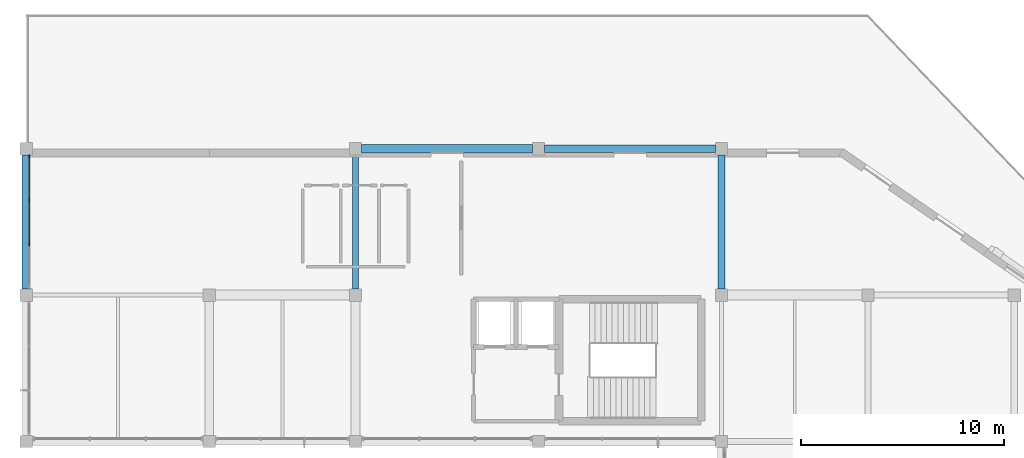
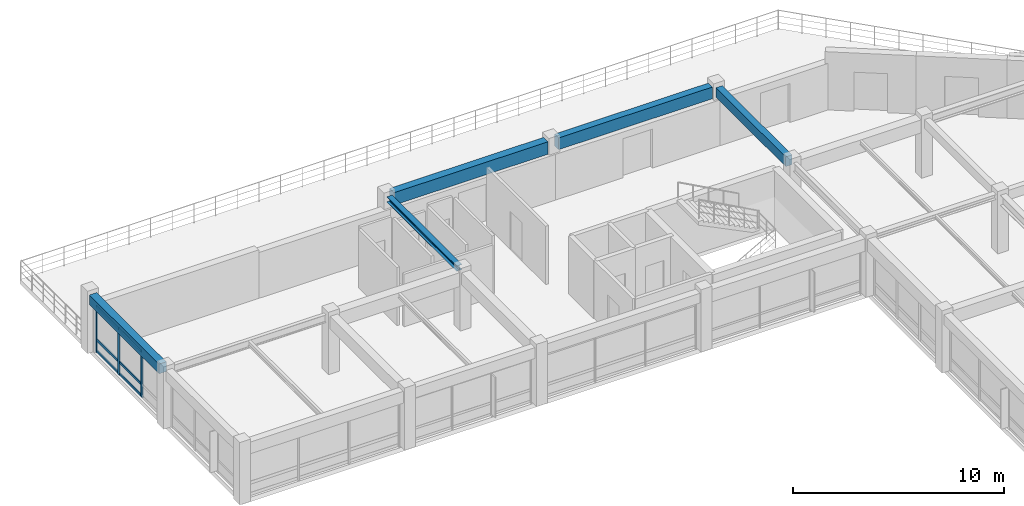
# One storey, part 6 of 12: 9 members, 5 beams, 1 element without a shape of its own.
"""IFC4 building model written with IfcOpenShell, lengths in metres."""

import ifcopenshell
import ifcopenshell.guid

model = None  # the IFC model being written
_history = None  # IfcOwnerHistory: only IFC2X3 demands one
_inside = {}  # id of a spatial element -> (the spatial element, [elements in it])
_under = {}  # id of a project, library or spatial element -> (it, [spatial elements below it])
_declared = {}  # id of a project -> (the project, [libraries it declares])
_typed = {}  # id of a type object -> (the type object, [elements of that type])
_made_of = {}  # id of a material, layer set ... -> (it, [elements and type objects made of it])


def new_model(schema):
    """Start an empty IFC model of exactly this schema.

    Asked for "IFC4X3", IfcOpenShell would pick the latest addendum, in which some entities
    have other attributes; the version numbers below select the first issue.
    IFC2X3 requires an IfcOwnerHistory on every rooted entity: one is made here for all.
    """
    global model, _history
    if schema == "IFC4X3":
        model = ifcopenshell.file(schema_version=(4, 3, 0, 0))
    else:
        model = ifcopenshell.file(schema=schema)
    _inside.clear()
    _under.clear()
    _declared.clear()
    _typed.clear()
    _made_of.clear()
    _history = None
    if model.schema == "IFC2X3":
        org = make("IfcOrganization", Name="unknown")
        user = make(
            "IfcPersonAndOrganization",
            ThePerson=make("IfcPerson", FamilyName="unknown"),
            TheOrganization=org,
        )
        app = make(
            "IfcApplication",
            ApplicationDeveloper=org,
            Version="unknown",
            ApplicationFullName="unknown",
            ApplicationIdentifier="unknown",
        )
        _history = make(
            "IfcOwnerHistory",
            OwningUser=user,
            OwningApplication=app,
            ChangeAction="ADDED",
            CreationDate=0,
        )
    return model


def make(cls, **values):
    """One entity of the class cls with the attributes given. An attribute that is None is left unset."""
    return model.create_entity(
        cls, **{name: value for name, value in values.items() if value is not None}
    )


def rooted(cls, **values):
    """An entity with a GlobalId (a new one), such as an element, a storey or a relation."""
    return make(cls, GlobalId=ifcopenshell.guid.new(), OwnerHistory=_history, **values)


def si_unit(unit_type, name, prefix=None):
    """IfcSIUnit, for example si_unit("LENGTHUNIT", "METRE", prefix="MILLI")."""
    return make("IfcSIUnit", UnitType=unit_type, Prefix=prefix, Name=name)


def assignment(units):
    """IfcUnitAssignment: the units of a project."""
    return None if units is None else make("IfcUnitAssignment", Units=units)


def point(xyz):
    """IfcCartesianPoint."""
    return None if xyz is None else make("IfcCartesianPoint", Coordinates=xyz)


def direction(xyz):
    """IfcDirection."""
    return None if xyz is None else make("IfcDirection", DirectionRatios=xyz)


def frame(location, z_axis=None, x_axis=None):
    """IfcAxis2Placement3D, a coordinate frame: its origin and axes. An axis left out is left unset."""
    return make(
        "IfcAxis2Placement3D",
        Location=point(location),
        Axis=direction(z_axis),
        RefDirection=direction(x_axis),
    )


def frame_2d(location, x_axis=None):
    """IfcAxis2Placement2D, a coordinate frame in the plane: its origin and x axis."""
    return make(
        "IfcAxis2Placement2D", Location=point(location), RefDirection=direction(x_axis)
    )


def origin():
    """The frame at (0, 0, 0) with its axes left unset."""
    return frame((0.0, 0.0, 0.0))


def origin_2d():
    """The frame at (0, 0) in the plane with its x axis left unset."""
    return frame_2d((0.0, 0.0))


def place(relative_to, where):
    """IfcLocalPlacement: puts the frame where relative to a parent placement (None: the world)."""
    return make(
        "IfcLocalPlacement", PlacementRelTo=relative_to, RelativePlacement=where
    )


def context(
    kind, dimensions, precision=None, world=None, true_north=None, identifier=None
):
    """IfcGeometricRepresentationContext, for example the 3D "Model" context."""
    return make(
        "IfcGeometricRepresentationContext",
        ContextIdentifier=identifier,
        ContextType=kind,
        CoordinateSpaceDimension=dimensions,
        Precision=precision,
        WorldCoordinateSystem=world,
        TrueNorth=true_north,
    )


def subcontext(parent, identifier, kind, view, scale=None):
    """IfcGeometricRepresentationSubContext, for example "Body" below "Model"."""
    return make(
        "IfcGeometricRepresentationSubContext",
        ContextIdentifier=identifier,
        ContextType=kind,
        ParentContext=parent,
        TargetScale=scale,
        TargetView=view,
    )


def project(units=None, contexts=None):
    """IfcProject with its units and contexts."""
    return rooted(
        "IfcProject",
        Name="project",
        RepresentationContexts=contexts,
        UnitsInContext=assignment(units),
    )


def spatial(cls, under=None, at=None, **own):
    """A site, building, storey or space (cls), placed at a placement, below another one or the project."""
    s = rooted(cls, ObjectPlacement=at, **own)
    if under is not None:
        _under.setdefault(under.id(), (under, []))[1].append(s)
    return s


def profile(cls, at=None, kind="AREA", **sizes):
    """A parametric profile (cls). Its sizes go by their IFC names, for example OverallWidth=200.0."""
    return make(cls, ProfileType=kind, Position=at, **sizes)


def rectangle(**sizes):
    """IfcRectangleProfileDef."""
    return profile("IfcRectangleProfileDef", **sizes)


def i_section(**sizes):
    """IfcIShapeProfileDef."""
    return profile("IfcIShapeProfileDef", **sizes)


def extrude(swept, where, along, depth):
    """IfcExtrudedAreaSolid: the profile swept, set in the frame where, extruded along a direction by depth."""
    return make(
        "IfcExtrudedAreaSolid",
        SweptArea=swept,
        Position=where,
        ExtrudedDirection=direction(along),
        Depth=depth,
    )


def shape(context_of_items, identifier, shape_type, items):
    """IfcShapeRepresentation: the items that make up one representation, for example the "Body"."""
    return make(
        "IfcShapeRepresentation",
        ContextOfItems=context_of_items,
        RepresentationIdentifier=identifier,
        RepresentationType=shape_type,
        Items=items,
    )


def material(Name=None, Category=None):
    """IfcMaterial."""
    return make("IfcMaterial", Name=Name, Category=Category)


def material_profile(
    of_material, cross_section, Name=None, Category=None, Priority=None
):
    """IfcMaterialProfile: a cross section and its material."""
    return make(
        "IfcMaterialProfile",
        Name=Name,
        Material=of_material,
        Profile=cross_section,
        Priority=Priority,
        Category=Category,
    )


def profile_set(profiles, Name=None, composite=None):
    """IfcMaterialProfileSet."""
    return make(
        "IfcMaterialProfileSet",
        Name=Name,
        MaterialProfiles=profiles,
        CompositeProfile=composite,
    )


def made_of(thing, what):
    """Note that an element or type object is made of a material, layer set ...; save() writes the relation."""
    if what is not None:
        _made_of.setdefault(what.id(), (what, []))[1].append(thing)
    return thing


def type_object(cls, material=None, **own):
    """A type object (cls), such as IfcWallType, which elements share."""
    return made_of(rooted(cls, **own), material)


def element(
    cls,
    number,
    at=None,
    inside=None,
    cuts=None,
    type_object=None,
    material=None,
    context=None,
    identifier="Body",
    shape_type=None,
    held_by="IfcProductDefinitionShape",
    body=None,
    shapes=None,
    **own,
):
    """One element of the class cls, such as IfcWall. Its Tag is "e" and its number.

    at: its placement. inside: the storey or other place that contains it. cuts: it is an
    opening in that element (IfcRelVoidsElement). A single representation is given by context,
    identifier, shape_type and body (its items); several are given by shapes. held_by: the class
    of the entity that holds the representations. save() writes the other relations.
    """
    e = rooted(cls, Tag="e%d" % number, ObjectPlacement=at, **own)
    if body is not None:
        shapes = [shape(context, identifier, shape_type, body)]
    if shapes is not None:
        e.Representation = make(held_by, Representations=shapes)
    if inside is not None:
        _inside.setdefault(inside.id(), (inside, []))[1].append(e)
    if cuts is not None:
        rooted(
            "IfcRelVoidsElement", RelatingBuildingElement=cuts, RelatedOpeningElement=e
        )
    if type_object is not None:
        _typed.setdefault(type_object.id(), (type_object, []))[1].append(e)
    return made_of(e, material)


def aggregate(whole, parts):
    """IfcRelAggregates: a whole, such as a stair, and the parts it consists of."""
    return rooted("IfcRelAggregates", RelatingObject=whole, RelatedObjects=parts)


def save(model, path):
    """Write the relations noted so far, then the file.

    IfcRelAggregates (storeys below a building ...), IfcRelContainedInSpatialStructure (elements
    in a storey), IfcRelDefinesByType, IfcRelAssociatesMaterial and IfcRelDeclares: one each for
    every whole, place, type object, material and project.
    """
    for whole, parts in _under.values():
        aggregate(whole, parts)
    for where, things in _inside.values():
        rooted(
            "IfcRelContainedInSpatialStructure",
            RelatedElements=things,
            RelatingStructure=where,
        )
    for kind, things in _typed.values():
        rooted("IfcRelDefinesByType", RelatedObjects=things, RelatingType=kind)
    for what, things in _made_of.values():
        rooted("IfcRelAssociatesMaterial", RelatedObjects=things, RelatingMaterial=what)
    for by, libraries in _declared.values():
        rooted("IfcRelDeclares", RelatingContext=by, RelatedDefinitions=libraries)
    model.write(path)


model = new_model("IFC4")

# Units and contexts
model_context = context("Model", 3, precision=1e-05, world=origin(), true_north=direction((0.0, 1.0)))
body_context = subcontext(model_context, "Body", "Model", "MODEL_VIEW")
ifc_project = project(units=[si_unit("LENGTHUNIT", "METRE"), si_unit("AREAUNIT", "SQUARE_METRE"), si_unit("VOLUMEUNIT", "CUBIC_METRE"), si_unit("PLANEANGLEUNIT", "RADIAN"), si_unit("MASSUNIT", "GRAM", prefix="KILO")], contexts=[model_context])

# Site, building, storey
site_placement = place(None, origin())
site = spatial("IfcSite", under=ifc_project, at=site_placement, CompositionType="ELEMENT")
building_placement = place(site_placement, origin())
building = spatial("IfcBuilding", under=site, at=building_placement, Name="Clarverna Civic Hall", CompositionType="ELEMENT")
storey_placement = place(building_placement, frame((0.0, 0.0, 24.0)))
storey = spatial("IfcBuildingStorey", under=building, at=storey_placement, Name="L06", CompositionType="ELEMENT", Elevation=24.0)

# Beams
ifc_material_1 = material(Name="Concrete C35/45", Category="concrete")
ifc_material_profile_1 = material_profile(ifc_material_1, rectangle(XDim=0.35009765625, YDim=0.550048828125, at=origin_2d()), Name="RC 350x550")
ifc_profile_set_1 = profile_set([ifc_material_profile_1], Name="Concrete C35/45")
beam_type_1 = type_object("IfcBeamType", Name="B-RC9", PredefinedType="BEAM", material=ifc_profile_set_1)
beam_1_placement = place(storey_placement, frame((147.60009765625, 102.5, 3.06494140625), z_axis=(0.0, 1.0, 0.0), x_axis=(-1.0, 0.0, 0.0)))
element("IfcBeam", 1, at=beam_1_placement, inside=storey, type_object=beam_type_1, Name="B-RC9-047", PredefinedType="BEAM", context=body_context, shape_type="SweptSolid", body=[
    extrude(rectangle(XDim=0.35009765625, YDim=0.550048828125, at=origin_2d()), origin(), (0.0, 0.0, 1.0), 6.60009765625),
])
ifc_material_profile_2 = material_profile(ifc_material_1, rectangle(XDim=0.419921875, YDim=0.719970703125, at=origin_2d()), Name="RC 420x720")
ifc_profile_set_2 = profile_set([ifc_material_profile_2], Name="Concrete C35/45")
beam_type_2 = type_object("IfcBeamType", Name="B-SP1", PredefinedType="SPANDREL", material=ifc_profile_set_2)
beam_2_placement = place(storey_placement, frame((129.89990234375, 109.39990234375, 3.0), z_axis=(1.0, 0.0, 0.0), x_axis=(0.0, 1.0, 0.0)))
element("IfcBeam", 2, at=beam_2_placement, inside=storey, type_object=beam_type_2, Name="B-SP1-152", PredefinedType="SPANDREL", context=body_context, shape_type="SweptSolid", body=[
    extrude(rectangle(XDim=0.419921875, YDim=0.719970703125, at=origin_2d()), origin(), (0.0, 0.0, 1.0), 8.400146484375),
])
ifc_material_profile_3 = material_profile(ifc_material_1, rectangle(XDim=0.3798828125, YDim=0.679931640625, at=origin_2d()), Name="RC 380x680")
ifc_profile_set_3 = profile_set([ifc_material_profile_3], Name="Concrete C35/45")
beam_type_3 = type_object("IfcBeamType", Name="B-SP2", PredefinedType="SPANDREL", material=ifc_profile_set_3)
beam_3_placement = place(storey_placement, frame((138.89990234375, 109.39990234375, 3.02001953125), z_axis=(1.0, 0.0, 0.0), x_axis=(0.0, 1.0, 0.0)))
element("IfcBeam", 3, at=beam_3_placement, inside=storey, type_object=beam_type_3, Name="B-SP2-159", PredefinedType="SPANDREL", context=body_context, shape_type="SweptSolid", body=[
    extrude(rectangle(XDim=0.3798828125, YDim=0.679931640625, at=origin_2d()), origin(), (0.0, 0.0, 1.0), 8.400146484375),
])
ifc_material_profile_4 = material_profile(ifc_material_1, rectangle(XDim=0.39990234375, YDim=0.56005859375, at=origin_2d()), Name="RC 400x560")
ifc_profile_set_4 = profile_set([ifc_material_profile_4], Name="Concrete C35/45")
beam_type_4 = type_object("IfcBeamType", Name="B-SP4", PredefinedType="SPANDREL", material=ifc_profile_set_4)
beam_4_placement = place(storey_placement, frame((113.39990234375, 102.5, 3.080078125), z_axis=(0.0, 1.0, 0.0), x_axis=(-1.0, 0.0, 0.0)))
element("IfcBeam", 4, at=beam_4_placement, inside=storey, type_object=beam_type_4, Name="B-SP4-156", PredefinedType="SPANDREL", context=body_context, shape_type="SweptSolid", body=[
    extrude(rectangle(XDim=0.39990234375, YDim=0.56005859375, at=origin_2d()), origin(), (0.0, 0.0, 1.0), 6.60009765625),
])
ifc_material_2 = material(Name="Steel S355", Category="steel")
ifc_material_profile_5 = material_profile(ifc_material_2, i_section(OverallWidth=0.300048828125, OverallDepth=0.31005859375, WebThickness=0.009033203125, FlangeThickness=0.015380859375, FilletRadius=0.027099609375, at=origin_2d()), Name="HEA 320")
ifc_profile_set_5 = profile_set([ifc_material_profile_5], Name="Steel S355")
beam_type_5 = type_object("IfcBeamType", Name="B-ST9", PredefinedType="BEAM", material=ifc_profile_set_5)
beam_5_placement = place(storey_placement, frame((129.60009765625, 102.5, 3.18505859375), z_axis=(0.0, 1.0, 0.0), x_axis=(-1.0, 0.0, 0.0)))
element("IfcBeam", 5, at=beam_5_placement, inside=storey, type_object=beam_type_5, Name="B-ST9-093", PredefinedType="BEAM", context=body_context, shape_type="SweptSolid", body=[
    extrude(i_section(OverallWidth=0.300048828125, OverallDepth=0.31005859375, WebThickness=0.009033203125, FlangeThickness=0.015380859375, FilletRadius=0.027099609375, at=origin_2d()), origin(), (0.0, 0.0, 1.0), 6.60009765625),
])

# Curtain wall, members
ifc_material_3 = material(Name="Anodised Bronze Architectural Aluminium", Category="aluminium")
curtain_wall_type = type_object("IfcCurtainWallType", Name="CW-01", PredefinedType="USERDEFINED", material=ifc_material_3)
curtain_wall_placement = place(storey_placement, origin())
curtain_wall = element("IfcCurtainWall", 6, at=curtain_wall_placement, inside=storey, type_object=curtain_wall_type, Name="CW-01-115", ObjectType="UNITISED CURTAIN WALL", PredefinedType="USERDEFINED")
ifc_material_profile_6 = material_profile(ifc_material_3, rectangle(XDim=0.06005859375, YDim=0.179931640625, at=origin_2d()), Name="BRONZE 60x180")
ifc_profile_set_6 = profile_set([ifc_material_profile_6], Name="Anodised Bronze Architectural Aluminium")
member_type_1 = type_object("IfcMemberType", Name="CWM-01", PredefinedType="MULLION", material=ifc_profile_set_6)
member_1_placement = place(storey_placement, frame((113.5400390625, 104.724365234375, 0.0), z_axis=(0.0, 0.0, 1.0), x_axis=(1.0, 0.0, 0.0)))
member_1 = element("IfcMember", 7, at=member_1_placement, type_object=member_type_1, Name="CWM-01-214", PredefinedType="MULLION", context=body_context, shape_type="SweptSolid", body=[
    extrude(rectangle(XDim=0.06005859375, YDim=0.179931640625, at=origin_2d()), origin(), (0.0, 0.0, 1.0), 2.739990234375),
])
member_2_placement = place(storey_placement, frame((113.5400390625, 106.875732421875, 0.0), z_axis=(0.0, 0.0, 1.0), x_axis=(1.0, 0.0, 0.0)))
member_2 = element("IfcMember", 8, at=member_2_placement, type_object=member_type_1, Name="CWM-01-215", PredefinedType="MULLION", context=body_context, shape_type="SweptSolid", body=[
    extrude(rectangle(XDim=0.06005859375, YDim=0.179931640625, at=origin_2d()), origin(), (0.0, 0.0, 1.0), 2.739990234375),
])
member_3_placement = place(storey_placement, frame((113.5400390625, 109.027099609375, 0.0), z_axis=(0.0, 0.0, 1.0), x_axis=(1.0, 0.0, 0.0)))
member_3 = element("IfcMember", 9, at=member_3_placement, type_object=member_type_1, Name="CWM-01-216", PredefinedType="MULLION", context=body_context, shape_type="SweptSolid", body=[
    extrude(rectangle(XDim=0.06005859375, YDim=0.179931640625, at=origin_2d()), origin(), (0.0, 0.0, 1.0), 2.739990234375),
])
ifc_material_profile_7 = material_profile(ifc_material_3, rectangle(XDim=0.06005859375, YDim=0.14990234375, at=origin_2d()), Name="BRONZE 60x150")
ifc_profile_set_7 = profile_set([ifc_material_profile_7], Name="Anodised Bronze Architectural Aluminium")
member_type_2 = type_object("IfcMemberType", Name="CWT-01", PredefinedType="USERDEFINED", material=ifc_profile_set_7)
member_4_placement = place(storey_placement, frame((113.5400390625, 104.7392578125, 0.094970703125), z_axis=(0.0, 1.0, 0.0), x_axis=(-1.0, 0.0, 0.0)))
member_4 = element("IfcMember", 10, at=member_4_placement, type_object=member_type_2, Name="CWT-01-457", ObjectType="TRANSOM", PredefinedType="USERDEFINED", context=body_context, shape_type="SweptSolid", body=[
    extrude(rectangle(XDim=0.06005859375, YDim=0.14990234375, at=origin_2d()), origin(), (0.0, 0.0, 1.0), 2.121337890625),
])
member_5_placement = place(storey_placement, frame((113.5400390625, 104.7392578125, 0.75), z_axis=(0.0, 1.0, 0.0), x_axis=(-1.0, 0.0, 0.0)))
member_5 = element("IfcMember", 11, at=member_5_placement, type_object=member_type_2, Name="CWT-01-458", ObjectType="TRANSOM", PredefinedType="USERDEFINED", context=body_context, shape_type="SweptSolid", body=[
    extrude(rectangle(XDim=0.06005859375, YDim=0.14990234375, at=origin_2d()), origin(), (0.0, 0.0, 1.0), 2.121337890625),
])
member_6_placement = place(storey_placement, frame((113.5400390625, 104.7392578125, 2.64501953125), z_axis=(0.0, 1.0, 0.0), x_axis=(-1.0, 0.0, 0.0)))
member_6 = element("IfcMember", 12, at=member_6_placement, type_object=member_type_2, Name="CWT-01-459", ObjectType="TRANSOM", PredefinedType="USERDEFINED", context=body_context, shape_type="SweptSolid", body=[
    extrude(rectangle(XDim=0.06005859375, YDim=0.14990234375, at=origin_2d()), origin(), (0.0, 0.0, 1.0), 2.121337890625),
])
member_7_placement = place(storey_placement, frame((113.5400390625, 106.890625, 0.094970703125), z_axis=(0.0, 1.0, 0.0), x_axis=(-1.0, 0.0, 0.0)))
member_7 = element("IfcMember", 13, at=member_7_placement, type_object=member_type_2, Name="CWT-01-460", ObjectType="TRANSOM", PredefinedType="USERDEFINED", context=body_context, shape_type="SweptSolid", body=[
    extrude(rectangle(XDim=0.06005859375, YDim=0.14990234375, at=origin_2d()), origin(), (0.0, 0.0, 1.0), 2.121337890625),
])
member_8_placement = place(storey_placement, frame((113.5400390625, 106.890625, 0.75), z_axis=(0.0, 1.0, 0.0), x_axis=(-1.0, 0.0, 0.0)))
member_8 = element("IfcMember", 14, at=member_8_placement, type_object=member_type_2, Name="CWT-01-461", ObjectType="TRANSOM", PredefinedType="USERDEFINED", context=body_context, shape_type="SweptSolid", body=[
    extrude(rectangle(XDim=0.06005859375, YDim=0.14990234375, at=origin_2d()), origin(), (0.0, 0.0, 1.0), 2.121337890625),
])
member_9_placement = place(storey_placement, frame((113.5400390625, 106.890625, 2.64501953125), z_axis=(0.0, 1.0, 0.0), x_axis=(-1.0, 0.0, 0.0)))
member_9 = element("IfcMember", 15, at=member_9_placement, type_object=member_type_2, Name="CWT-01-462", ObjectType="TRANSOM", PredefinedType="USERDEFINED", context=body_context, shape_type="SweptSolid", body=[
    extrude(rectangle(XDim=0.06005859375, YDim=0.14990234375, at=origin_2d()), origin(), (0.0, 0.0, 1.0), 2.121337890625),
])
aggregate(curtain_wall, [member_1, member_2, member_3, member_4, member_5, member_6, member_7, member_8, member_9])

save(model, "model.ifc")
